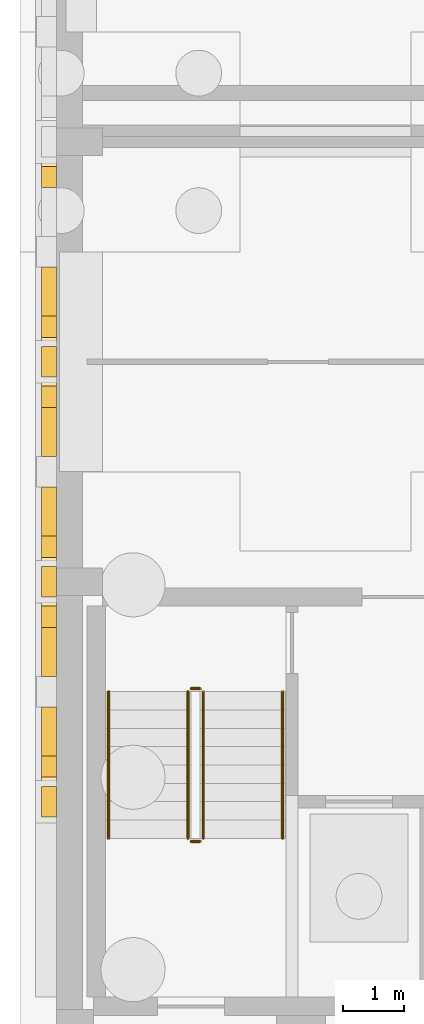
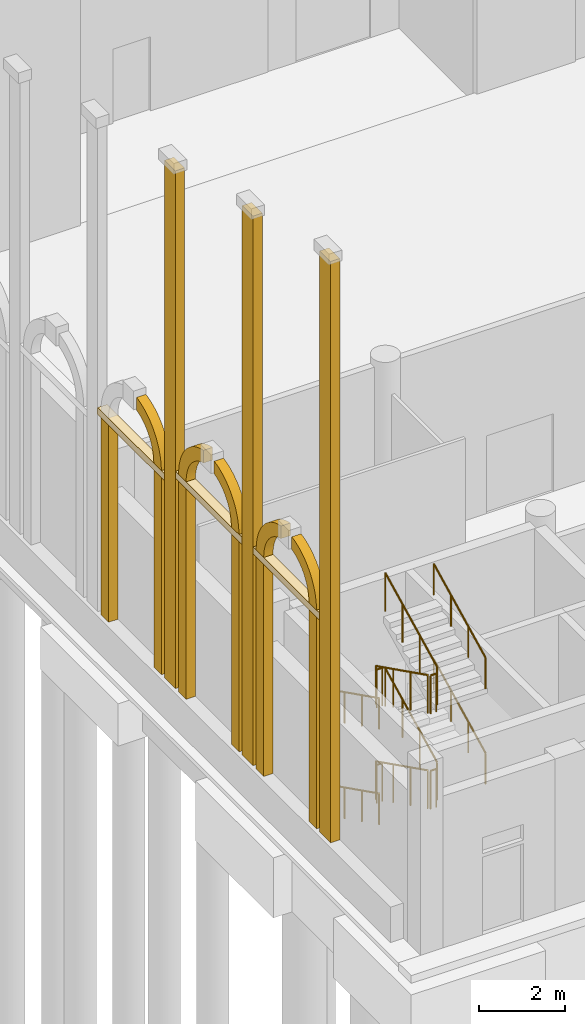
# One storey, part 56 of 80: 17 coverings, 12 railings.
"""IFC4 building model written with IfcOpenShell, lengths in metres."""

from ifc_helpers import new_model, si_unit, direction, frame, origin, origin_2d, place, context, subcontext, project, spatial, polyline, rectangle, circle, outline, extrude, material, type_object, element, save


model = new_model("IFC4")

# Units and contexts
model_context = context("Model", 3, precision=1e-05, world=origin(), true_north=direction((0.0, 1.0)))
body_context = subcontext(model_context, "Body", "Model", "MODEL_VIEW")
ifc_project = project(units=[si_unit("LENGTHUNIT", "METRE"), si_unit("AREAUNIT", "SQUARE_METRE"), si_unit("VOLUMEUNIT", "CUBIC_METRE"), si_unit("PLANEANGLEUNIT", "RADIAN"), si_unit("MASSUNIT", "GRAM", prefix="KILO")], contexts=[model_context])

# Site, building, storey
site_placement = place(None, origin())
site = spatial("IfcSite", under=ifc_project, at=site_placement, CompositionType="ELEMENT")
building_placement = place(site_placement, origin())
building = spatial("IfcBuilding", under=site, at=building_placement, Name="Ussher Court Research Institute", CompositionType="ELEMENT")
storey_placement = place(building_placement, origin())
storey = spatial("IfcBuildingStorey", under=building, at=storey_placement, Name="L00", CompositionType="ELEMENT", Elevation=0.0)

# Coverings
ifc_material_1 = material(Name="Limestone cornice", Category="masonry")
covering_type_1 = type_object("IfcCoveringType", Name="Arcade impost course 250x200", PredefinedType="CLADDING", material=ifc_material_1)
for number, where, z_axis, x_axis, name in (
    (1, (2.47509765625, 9.39990234375, 7.0), (0.0, 0.0, 1.0), (1.0, 0.0, 0.0), "Arcade impost course CC39"),
    (2, (2.47509765625, 13.0, 6.95849609375), (0.0, 0.0, 1.0), (1.0, 0.0, 0.0), "Arcade impost course CC39"),
    (3, (2.47509765625, 16.60009765625, 6.580078125), (0.0, 0.0, 1.0), (1.0, 0.0, 0.0), "Arcade impost course CC39"),
):
    element("IfcCovering", number, at=place(storey_placement, frame(where, z_axis=z_axis, x_axis=x_axis)), inside=storey, type_object=covering_type_1, Name=name, PredefinedType="CLADDING", context=body_context, shape_type="SweptSolid", body=[
        extrude(rectangle(XDim=0.25, YDim=3.10009765625, at=origin_2d()), origin(), (0.0, 0.0, 1.0), 0.199951171875),
    ])
ifc_material_2 = material(Name="Limestone cornice", Category="masonry")
covering_type_2 = type_object("IfcCoveringType", Name="Arcade jamb 350x250", PredefinedType="CLADDING", material=ifc_material_2)
for number, where, z_axis, x_axis, name in (
    (4, (2.47509765625, 8.175048828125, 1.0), (0.0, 0.0, 1.0), (1.0, 0.0, 0.0), "Arcade jamb CC40"),
    (5, (2.47509765625, 10.625, 1.0), (0.0, 0.0, 1.0), (1.0, 0.0, 0.0), "Arcade jamb CC40"),
):
    element("IfcCovering", number, at=place(storey_placement, frame(where, z_axis=z_axis, x_axis=x_axis)), inside=storey, type_object=covering_type_2, Name=name, PredefinedType="CLADDING", context=body_context, shape_type="SweptSolid", body=[
        extrude(rectangle(XDim=0.25, YDim=0.35009765625, at=origin_2d()), origin(), (0.0, 0.0, 1.0), 6.0),
    ])
for number, where, z_axis, x_axis, name in (
    (6, (2.47509765625, 11.77490234375, 1.0), (0.0, 0.0, 1.0), (1.0, 0.0, 0.0), "Arcade jamb CC40"),
    (7, (2.47509765625, 14.22509765625, 1.0), (0.0, 0.0, 1.0), (1.0, 0.0, 0.0), "Arcade jamb CC40"),
):
    element("IfcCovering", number, at=place(storey_placement, frame(where, z_axis=z_axis, x_axis=x_axis)), inside=storey, type_object=covering_type_2, Name=name, PredefinedType="CLADDING", context=body_context, shape_type="SweptSolid", body=[
        extrude(rectangle(XDim=0.25, YDim=0.35009765625, at=origin_2d()), origin(), (0.0, 0.0, 1.0), 5.958251953125),
    ])
for number, where, z_axis, x_axis, name in (
    (8, (2.47509765625, 15.375, 1.0), (0.0, 0.0, 1.0), (1.0, 0.0, 0.0), "Arcade jamb CC40"),
    (9, (2.47509765625, 17.824951171875, 1.0), (0.0, 0.0, 1.0), (1.0, 0.0, 0.0), "Arcade jamb CC40"),
):
    element("IfcCovering", number, at=place(storey_placement, frame(where, z_axis=z_axis, x_axis=x_axis)), inside=storey, type_object=covering_type_2, Name=name, PredefinedType="CLADDING", context=body_context, shape_type="SweptSolid", body=[
        extrude(rectangle(XDim=0.25, YDim=0.35009765625, at=origin_2d()), origin(), (0.0, 0.0, 1.0), 5.580078125),
    ])
ifc_material_3 = material(Name="Limestone cornice", Category="masonry")
covering_type_3 = type_object("IfcCoveringType", Name="Archivolt 2100 span", PredefinedType="CLADDING", material=ifc_material_3)
covering_1_placement = place(storey_placement, frame((2.35009765625, 9.39990234375, 7.199951171875), z_axis=(1.0, 0.0, 0.0), x_axis=(0.0, 1.0, 0.0)))
element("IfcCovering", 10, at=covering_1_placement, inside=storey, type_object=covering_type_3, Name="Archivolt CC41", PredefinedType="CLADDING", context=body_context, shape_type="SweptSolid", body=[
    extrude(outline(polyline([(-0.273193359375, 1.373046875), (-0.31787109375, 1.36328125), (-0.3623046875, 1.352294921875), (-0.406494140625, 1.339599609375), (-0.449951171875, 1.32568359375), (-0.4931640625, 1.310302734375), (-0.535888671875, 1.29345703125), (-0.577880859375, 1.275146484375), (-0.619140625, 1.255615234375), (-0.659912109375, 1.234619140625), (-0.699951171875, 1.21240234375), (-0.7392578125, 1.18896484375), (-0.77783203125, 1.1640625), (-0.8154296875, 1.137939453125), (-0.852294921875, 1.110595703125), (-0.88818359375, 1.082275390625), (-0.923095703125, 1.052490234375), (-0.95703125, 1.021728515625), (-0.989990234375, 0.989990234375), (-1.021728515625, 0.95703125), (-1.052490234375, 0.923095703125), (-1.082275390625, 0.88818359375), (-1.110595703125, 0.852294921875), (-1.137939453125, 0.8154296875), (-1.1640625, 0.77783203125), (-1.18896484375, 0.7392578125), (-1.21240234375, 0.699951171875), (-1.234619140625, 0.659912109375), (-1.255615234375, 0.619140625), (-1.275146484375, 0.577880859375), (-1.29345703125, 0.535888671875), (-1.310302734375, 0.4931640625), (-1.32568359375, 0.449951171875), (-1.339599609375, 0.406494140625), (-1.352294921875, 0.3623046875), (-1.36328125, 0.31787109375), (-1.373046875, 0.273193359375), (-1.38134765625, 0.22802734375), (-1.387939453125, 0.1826171875), (-1.393310546875, 0.13720703125), (-1.39697265625, 0.091552734375), (-1.3994140625, 0.0458984375), (-1.39990234375, 0.0), (-1.050048828125, 0.0), (-1.04931640625, 0.034423828125), (-1.0478515625, 0.068603515625), (-1.044921875, 0.102783203125), (-1.041015625, 0.13720703125), (-1.035888671875, 0.1708984375), (-1.02978515625, 0.204833984375), (-1.022705078125, 0.23828125), (-1.01416015625, 0.271728515625), (-1.0048828125, 0.3046875), (-0.994384765625, 0.33740234375), (-0.982666015625, 0.369873046875), (-0.97021484375, 0.40185546875), (-0.956298828125, 0.433349609375), (-0.941650390625, 0.46435546875), (-0.926025390625, 0.4951171875), (-0.9091796875, 0.52490234375), (-0.8916015625, 0.554443359375), (-0.873046875, 0.583251953125), (-0.853515625, 0.611572265625), (-0.8330078125, 0.63916015625), (-0.811767578125, 0.666015625), (-0.789306640625, 0.6923828125), (-0.766357421875, 0.7177734375), (-0.742431640625, 0.742431640625), (-0.7177734375, 0.766357421875), (-0.6923828125, 0.789306640625), (-0.666015625, 0.811767578125), (-0.63916015625, 0.8330078125), (-0.611572265625, 0.853515625), (-0.583251953125, 0.873046875), (-0.554443359375, 0.8916015625), (-0.52490234375, 0.9091796875), (-0.4951171875, 0.926025390625), (-0.46435546875, 0.941650390625), (-0.433349609375, 0.956298828125), (-0.40185546875, 0.97021484375), (-0.369873046875, 0.982666015625), (-0.33740234375, 0.994384765625), (-0.3046875, 1.0048828125), (-0.271728515625, 1.01416015625), (-0.25, 1.019775390625), (-0.25, 1.377197265625), (-0.273193359375, 1.373046875)])), origin(), (0.0, 0.0, 1.0), 0.25),
])
covering_2_placement = place(storey_placement, frame((2.35009765625, 9.39990234375, 7.199951171875), z_axis=(1.0, 0.0, 0.0), x_axis=(0.0, 1.0, 0.0)))
element("IfcCovering", 11, at=covering_2_placement, inside=storey, type_object=covering_type_3, Name="Archivolt CC41", PredefinedType="CLADDING", context=body_context, shape_type="SweptSolid", body=[
    extrude(outline(polyline([(0.273193359375, 1.373046875), (0.25, 1.377197265625), (0.25, 1.019775390625), (0.271728515625, 1.01416015625), (0.3046875, 1.0048828125), (0.33740234375, 0.994384765625), (0.369873046875, 0.982666015625), (0.40185546875, 0.97021484375), (0.433349609375, 0.956298828125), (0.46435546875, 0.941650390625), (0.4951171875, 0.926025390625), (0.52490234375, 0.9091796875), (0.554443359375, 0.8916015625), (0.583251953125, 0.873046875), (0.611572265625, 0.853515625), (0.63916015625, 0.8330078125), (0.666015625, 0.811767578125), (0.6923828125, 0.789306640625), (0.7177734375, 0.766357421875), (0.742431640625, 0.742431640625), (0.766357421875, 0.7177734375), (0.789306640625, 0.6923828125), (0.811767578125, 0.666015625), (0.8330078125, 0.63916015625), (0.853515625, 0.611572265625), (0.873046875, 0.583251953125), (0.8916015625, 0.554443359375), (0.9091796875, 0.52490234375), (0.926025390625, 0.4951171875), (0.941650390625, 0.46435546875), (0.956298828125, 0.433349609375), (0.97021484375, 0.40185546875), (0.982666015625, 0.369873046875), (0.994384765625, 0.33740234375), (1.0048828125, 0.3046875), (1.01416015625, 0.271728515625), (1.022705078125, 0.23828125), (1.02978515625, 0.204833984375), (1.035888671875, 0.1708984375), (1.041015625, 0.13720703125), (1.044921875, 0.102783203125), (1.0478515625, 0.068603515625), (1.04931640625, 0.034423828125), (1.050048828125, 0.0), (1.39990234375, 0.0), (1.3994140625, 0.0458984375), (1.39697265625, 0.091552734375), (1.393310546875, 0.13720703125), (1.387939453125, 0.1826171875), (1.38134765625, 0.22802734375), (1.373046875, 0.273193359375), (1.36328125, 0.31787109375), (1.352294921875, 0.3623046875), (1.339599609375, 0.406494140625), (1.32568359375, 0.449951171875), (1.310302734375, 0.4931640625), (1.29345703125, 0.535888671875), (1.275146484375, 0.577880859375), (1.255615234375, 0.619140625), (1.234619140625, 0.659912109375), (1.21240234375, 0.699951171875), (1.18896484375, 0.7392578125), (1.1640625, 0.77783203125), (1.137939453125, 0.8154296875), (1.110595703125, 0.852294921875), (1.082275390625, 0.88818359375), (1.052490234375, 0.923095703125), (1.021728515625, 0.95703125), (0.989990234375, 0.989990234375), (0.95703125, 1.021728515625), (0.923095703125, 1.052490234375), (0.88818359375, 1.082275390625), (0.852294921875, 1.110595703125), (0.8154296875, 1.137939453125), (0.77783203125, 1.1640625), (0.7392578125, 1.18896484375), (0.699951171875, 1.21240234375), (0.659912109375, 1.234619140625), (0.619140625, 1.255615234375), (0.577880859375, 1.275146484375), (0.535888671875, 1.29345703125), (0.4931640625, 1.310302734375), (0.449951171875, 1.32568359375), (0.406494140625, 1.339599609375), (0.3623046875, 1.352294921875), (0.31787109375, 1.36328125), (0.273193359375, 1.373046875)])), origin(), (0.0, 0.0, 1.0), 0.25),
])
covering_3_placement = place(storey_placement, frame((2.35009765625, 13.0, 7.158203125), z_axis=(1.0, 0.0, 0.0), x_axis=(0.0, 1.0, 0.0)))
element("IfcCovering", 12, at=covering_3_placement, inside=storey, type_object=covering_type_3, Name="Archivolt CC41", PredefinedType="CLADDING", context=body_context, shape_type="SweptSolid", body=[
    extrude(outline(polyline([(-0.273193359375, 1.373046875), (-0.31787109375, 1.36328125), (-0.3623046875, 1.352294921875), (-0.406494140625, 1.339599609375), (-0.449951171875, 1.32568359375), (-0.4931640625, 1.310302734375), (-0.535888671875, 1.29345703125), (-0.577880859375, 1.275146484375), (-0.619140625, 1.255615234375), (-0.659912109375, 1.234619140625), (-0.699951171875, 1.21240234375), (-0.7392578125, 1.18896484375), (-0.77783203125, 1.1640625), (-0.8154296875, 1.137939453125), (-0.852294921875, 1.110595703125), (-0.88818359375, 1.082275390625), (-0.923095703125, 1.052490234375), (-0.95703125, 1.021728515625), (-0.989990234375, 0.989990234375), (-1.021728515625, 0.95703125), (-1.052490234375, 0.923095703125), (-1.082275390625, 0.88818359375), (-1.110595703125, 0.852294921875), (-1.137939453125, 0.8154296875), (-1.1640625, 0.77783203125), (-1.18896484375, 0.7392578125), (-1.21240234375, 0.699951171875), (-1.234619140625, 0.659912109375), (-1.255615234375, 0.619140625), (-1.275146484375, 0.577880859375), (-1.29345703125, 0.535888671875), (-1.310302734375, 0.4931640625), (-1.32568359375, 0.449951171875), (-1.339599609375, 0.406494140625), (-1.352294921875, 0.3623046875), (-1.36328125, 0.31787109375), (-1.373046875, 0.273193359375), (-1.38134765625, 0.22802734375), (-1.387939453125, 0.1826171875), (-1.393310546875, 0.13720703125), (-1.39697265625, 0.091552734375), (-1.3994140625, 0.0458984375), (-1.39990234375, 0.0), (-1.050048828125, 0.0), (-1.04931640625, 0.034423828125), (-1.0478515625, 0.068603515625), (-1.044921875, 0.102783203125), (-1.041015625, 0.13720703125), (-1.035888671875, 0.1708984375), (-1.02978515625, 0.204833984375), (-1.022705078125, 0.23828125), (-1.01416015625, 0.271728515625), (-1.0048828125, 0.3046875), (-0.994384765625, 0.33740234375), (-0.982666015625, 0.369873046875), (-0.97021484375, 0.40185546875), (-0.956298828125, 0.433349609375), (-0.941650390625, 0.46435546875), (-0.926025390625, 0.4951171875), (-0.9091796875, 0.52490234375), (-0.8916015625, 0.554443359375), (-0.873046875, 0.583251953125), (-0.853515625, 0.611572265625), (-0.8330078125, 0.63916015625), (-0.811767578125, 0.666015625), (-0.789306640625, 0.6923828125), (-0.766357421875, 0.7177734375), (-0.742431640625, 0.742431640625), (-0.7177734375, 0.766357421875), (-0.6923828125, 0.789306640625), (-0.666015625, 0.811767578125), (-0.63916015625, 0.8330078125), (-0.611572265625, 0.853515625), (-0.583251953125, 0.873046875), (-0.554443359375, 0.8916015625), (-0.52490234375, 0.9091796875), (-0.4951171875, 0.926025390625), (-0.46435546875, 0.941650390625), (-0.433349609375, 0.956298828125), (-0.40185546875, 0.97021484375), (-0.369873046875, 0.982666015625), (-0.33740234375, 0.994384765625), (-0.3046875, 1.0048828125), (-0.271728515625, 1.01416015625), (-0.25, 1.019775390625), (-0.25, 1.377197265625), (-0.273193359375, 1.373046875)])), origin(), (0.0, 0.0, 1.0), 0.25),
])
covering_4_placement = place(storey_placement, frame((2.35009765625, 13.0, 7.158203125), z_axis=(1.0, 0.0, 0.0), x_axis=(0.0, 1.0, 0.0)))
element("IfcCovering", 13, at=covering_4_placement, inside=storey, type_object=covering_type_3, Name="Archivolt CC41", PredefinedType="CLADDING", context=body_context, shape_type="SweptSolid", body=[
    extrude(outline(polyline([(0.273193359375, 1.373046875), (0.25, 1.377197265625), (0.25, 1.019775390625), (0.271728515625, 1.01416015625), (0.3046875, 1.0048828125), (0.33740234375, 0.994384765625), (0.369873046875, 0.982666015625), (0.40185546875, 0.97021484375), (0.433349609375, 0.956298828125), (0.46435546875, 0.941650390625), (0.4951171875, 0.926025390625), (0.52490234375, 0.9091796875), (0.554443359375, 0.8916015625), (0.583251953125, 0.873046875), (0.611572265625, 0.853515625), (0.63916015625, 0.8330078125), (0.666015625, 0.811767578125), (0.6923828125, 0.789306640625), (0.7177734375, 0.766357421875), (0.742431640625, 0.742431640625), (0.766357421875, 0.7177734375), (0.789306640625, 0.6923828125), (0.811767578125, 0.666015625), (0.8330078125, 0.63916015625), (0.853515625, 0.611572265625), (0.873046875, 0.583251953125), (0.8916015625, 0.554443359375), (0.9091796875, 0.52490234375), (0.926025390625, 0.4951171875), (0.941650390625, 0.46435546875), (0.956298828125, 0.433349609375), (0.97021484375, 0.40185546875), (0.982666015625, 0.369873046875), (0.994384765625, 0.33740234375), (1.0048828125, 0.3046875), (1.01416015625, 0.271728515625), (1.022705078125, 0.23828125), (1.02978515625, 0.204833984375), (1.035888671875, 0.1708984375), (1.041015625, 0.13720703125), (1.044921875, 0.102783203125), (1.0478515625, 0.068603515625), (1.04931640625, 0.034423828125), (1.050048828125, 0.0), (1.39990234375, 0.0), (1.3994140625, 0.0458984375), (1.39697265625, 0.091552734375), (1.393310546875, 0.13720703125), (1.387939453125, 0.1826171875), (1.38134765625, 0.22802734375), (1.373046875, 0.273193359375), (1.36328125, 0.31787109375), (1.352294921875, 0.3623046875), (1.339599609375, 0.406494140625), (1.32568359375, 0.449951171875), (1.310302734375, 0.4931640625), (1.29345703125, 0.535888671875), (1.275146484375, 0.577880859375), (1.255615234375, 0.619140625), (1.234619140625, 0.659912109375), (1.21240234375, 0.699951171875), (1.18896484375, 0.7392578125), (1.1640625, 0.77783203125), (1.137939453125, 0.8154296875), (1.110595703125, 0.852294921875), (1.082275390625, 0.88818359375), (1.052490234375, 0.923095703125), (1.021728515625, 0.95703125), (0.989990234375, 0.989990234375), (0.95703125, 1.021728515625), (0.923095703125, 1.052490234375), (0.88818359375, 1.082275390625), (0.852294921875, 1.110595703125), (0.8154296875, 1.137939453125), (0.77783203125, 1.1640625), (0.7392578125, 1.18896484375), (0.699951171875, 1.21240234375), (0.659912109375, 1.234619140625), (0.619140625, 1.255615234375), (0.577880859375, 1.275146484375), (0.535888671875, 1.29345703125), (0.4931640625, 1.310302734375), (0.449951171875, 1.32568359375), (0.406494140625, 1.339599609375), (0.3623046875, 1.352294921875), (0.31787109375, 1.36328125), (0.273193359375, 1.373046875)])), origin(), (0.0, 0.0, 1.0), 0.25),
])
covering_5_placement = place(storey_placement, frame((2.35009765625, 16.60009765625, 6.7802734375), z_axis=(1.0, 0.0, 0.0), x_axis=(0.0, 1.0, 0.0)))
element("IfcCovering", 14, at=covering_5_placement, inside=storey, type_object=covering_type_3, Name="Archivolt CC41", PredefinedType="CLADDING", context=body_context, shape_type="SweptSolid", body=[
    extrude(outline(polyline([(-0.273193359375, 1.373046875), (-0.31787109375, 1.36328125), (-0.3623046875, 1.352294921875), (-0.406494140625, 1.339599609375), (-0.449951171875, 1.32568359375), (-0.4931640625, 1.310302734375), (-0.535888671875, 1.29345703125), (-0.577880859375, 1.275146484375), (-0.619140625, 1.255615234375), (-0.659912109375, 1.234619140625), (-0.699951171875, 1.21240234375), (-0.7392578125, 1.18896484375), (-0.77783203125, 1.1640625), (-0.8154296875, 1.137939453125), (-0.852294921875, 1.110595703125), (-0.88818359375, 1.082275390625), (-0.923095703125, 1.052490234375), (-0.95703125, 1.021728515625), (-0.989990234375, 0.989990234375), (-1.021728515625, 0.95703125), (-1.052490234375, 0.923095703125), (-1.082275390625, 0.88818359375), (-1.110595703125, 0.852294921875), (-1.137939453125, 0.8154296875), (-1.1640625, 0.77783203125), (-1.18896484375, 0.7392578125), (-1.21240234375, 0.699951171875), (-1.234619140625, 0.659912109375), (-1.255615234375, 0.619140625), (-1.275146484375, 0.577880859375), (-1.29345703125, 0.535888671875), (-1.310302734375, 0.4931640625), (-1.32568359375, 0.449951171875), (-1.339599609375, 0.406494140625), (-1.352294921875, 0.3623046875), (-1.36328125, 0.31787109375), (-1.373046875, 0.273193359375), (-1.38134765625, 0.22802734375), (-1.387939453125, 0.1826171875), (-1.393310546875, 0.13720703125), (-1.39697265625, 0.091552734375), (-1.3994140625, 0.0458984375), (-1.39990234375, 0.0), (-1.050048828125, 0.0), (-1.04931640625, 0.034423828125), (-1.0478515625, 0.068603515625), (-1.044921875, 0.102783203125), (-1.041015625, 0.13720703125), (-1.035888671875, 0.1708984375), (-1.02978515625, 0.204833984375), (-1.022705078125, 0.23828125), (-1.01416015625, 0.271728515625), (-1.0048828125, 0.3046875), (-0.994384765625, 0.33740234375), (-0.982666015625, 0.369873046875), (-0.97021484375, 0.40185546875), (-0.956298828125, 0.433349609375), (-0.941650390625, 0.46435546875), (-0.926025390625, 0.4951171875), (-0.9091796875, 0.52490234375), (-0.8916015625, 0.554443359375), (-0.873046875, 0.583251953125), (-0.853515625, 0.611572265625), (-0.8330078125, 0.63916015625), (-0.811767578125, 0.666015625), (-0.789306640625, 0.6923828125), (-0.766357421875, 0.7177734375), (-0.742431640625, 0.742431640625), (-0.7177734375, 0.766357421875), (-0.6923828125, 0.789306640625), (-0.666015625, 0.811767578125), (-0.63916015625, 0.8330078125), (-0.611572265625, 0.853515625), (-0.583251953125, 0.873046875), (-0.554443359375, 0.8916015625), (-0.52490234375, 0.9091796875), (-0.4951171875, 0.926025390625), (-0.46435546875, 0.941650390625), (-0.433349609375, 0.956298828125), (-0.40185546875, 0.97021484375), (-0.369873046875, 0.982666015625), (-0.33740234375, 0.994384765625), (-0.3046875, 1.0048828125), (-0.271728515625, 1.01416015625), (-0.25, 1.019775390625), (-0.25, 1.377197265625), (-0.273193359375, 1.373046875)])), origin(), (0.0, 0.0, 1.0), 0.25),
])
ifc_material_4 = material(Name="Limestone cornice", Category="masonry")
covering_type_4 = type_object("IfcCoveringType", Name="Pilaster strip 500x250", PredefinedType="CLADDING", material=ifc_material_4)
covering_6_placement = place(storey_placement, frame((2.47509765625, 7.60009765625, 1.0), z_axis=(0.0, 0.0, 1.0), x_axis=(1.0, 0.0, 0.0)))
element("IfcCovering", 15, at=covering_6_placement, inside=storey, type_object=covering_type_4, Name="Pilaster strip CC9", PredefinedType="CLADDING", context=body_context, shape_type="SweptSolid", body=[
    extrude(rectangle(XDim=0.25, YDim=0.5, at=origin_2d()), origin(), (0.0, 0.0, 1.0), 16.46240234375),
])
covering_7_placement = place(storey_placement, frame((2.47509765625, 11.199951171875, 1.0), z_axis=(0.0, 0.0, 1.0), x_axis=(1.0, 0.0, 0.0)))
element("IfcCovering", 16, at=covering_7_placement, inside=storey, type_object=covering_type_4, Name="Pilaster strip CC9", PredefinedType="CLADDING", context=body_context, shape_type="SweptSolid", body=[
    extrude(rectangle(XDim=0.25, YDim=0.5, at=origin_2d()), origin(), (0.0, 0.0, 1.0), 15.5625),
])
covering_8_placement = place(storey_placement, frame((2.47509765625, 14.800048828125, 1.0), z_axis=(0.0, 0.0, 1.0), x_axis=(1.0, 0.0, 0.0)))
element("IfcCovering", 17, at=covering_8_placement, inside=storey, type_object=covering_type_4, Name="Pilaster strip CC9", PredefinedType="CLADDING", context=body_context, shape_type="SweptSolid", body=[
    extrude(rectangle(XDim=0.25, YDim=0.5, at=origin_2d()), origin(), (0.0, 0.0, 1.0), 14.66259765625),
])

# Railings
ifc_material_5 = material(Name="Painted steel balustrade", Category="steel")
railing_type_1 = type_object("IfcRailingType", Name="Stair guard 1100 steel balustrade", PredefinedType="GUARDRAIL", material=ifc_material_5)
railing_1_placement = place(storey_placement, frame((4.75, 9.39990234375, 0.14990234375)))
element("IfcRailing", 18, at=railing_1_placement, inside=storey, type_object=railing_type_1, Name="L00 H1 stair guard 1", PredefinedType="GUARDRAIL", context=body_context, shape_type="SweptSolid", body=[
    extrude(circle(Radius=0.02392578125, at=origin_2d()), frame((0.0, 0.0, 1.076171875), z_axis=(0.0, -0.894390793703, 0.44728638269), x_axis=(1.0, 0.0, 0.0)), (0.0, 0.0, 1.0), 2.683349609375),
    extrude(circle(Radius=0.02099609375, at=origin_2d()), origin(), (0.0, 0.0, 1.0), 1.052001953125),
    extrude(circle(Radius=0.02099609375, at=origin_2d()), frame((0.0, -0.800048828125, 0.400146484375)), (0.0, 0.0, 1.0), 1.052001953125),
    extrude(circle(Radius=0.02099609375, at=origin_2d()), frame((0.0, -1.599853515625, 0.800048828125)), (0.0, 0.0, 1.0), 1.052001953125),
    extrude(circle(Radius=0.02099609375, at=origin_2d()), frame((0.0, -2.39990234375, 1.2001953125)), (0.0, 0.0, 1.0), 1.052001953125),
])
railing_2_placement = place(storey_placement, frame((4.800048828125, 6.949951171875, 1.35009765625)))
element("IfcRailing", 19, at=railing_2_placement, inside=storey, type_object=railing_type_1, Name="L00 H1 stair guard 2", PredefinedType="GUARDRAIL", context=body_context, shape_type="SweptSolid", body=[
    extrude(circle(Radius=0.02392578125, at=origin_2d()), frame((0.0, 0.0, 1.076171875), z_axis=(1.0, 0.0, 0.0), x_axis=(0.0, 1.0, 0.0)), (0.0, 0.0, 1.0), 0.14990234375),
    extrude(circle(Radius=0.02099609375, at=origin_2d()), origin(), (0.0, 0.0, 1.0), 1.052001953125),
    extrude(circle(Radius=0.02099609375, at=origin_2d()), frame((0.14990234375, 0.0, 0.0)), (0.0, 0.0, 1.0), 1.052001953125),
])
railing_3_placement = place(storey_placement, frame((5.0, 7.0, 1.5)))
element("IfcRailing", 20, at=railing_3_placement, inside=storey, type_object=railing_type_1, Name="L00 H1 stair guard 3", PredefinedType="GUARDRAIL", context=body_context, shape_type="SweptSolid", body=[
    extrude(circle(Radius=0.02392578125, at=origin_2d()), frame((0.0, 0.0, 1.076171875), z_axis=(0.0, 0.894427191, 0.4472135955), x_axis=(-1.0, 0.0, 0.0)), (0.0, 0.0, 1.0), 2.68310546875),
    extrude(circle(Radius=0.02099609375, at=origin_2d()), origin(), (0.0, 0.0, 1.0), 1.052001953125),
    extrude(circle(Radius=0.02099609375, at=origin_2d()), frame((0.0, 0.800048828125, 0.39990234375)), (0.0, 0.0, 1.0), 1.052001953125),
    extrude(circle(Radius=0.02099609375, at=origin_2d()), frame((0.0, 1.599853515625, 0.800048828125)), (0.0, 0.0, 1.0), 1.052001953125),
    extrude(circle(Radius=0.02099609375, at=origin_2d()), frame((0.0, 2.39990234375, 1.199951171875)), (0.0, 0.0, 1.0), 1.052001953125),
])
railing_4_placement = place(storey_placement, frame((4.800048828125, 9.449951171875, 2.699951171875)))
element("IfcRailing", 21, at=railing_4_placement, inside=storey, type_object=railing_type_1, Name="L00 H1 stair guard 4", PredefinedType="GUARDRAIL", context=body_context, shape_type="SweptSolid", body=[
    extrude(circle(Radius=0.02392578125, at=origin_2d()), frame((0.0, 0.0, 1.076171875), z_axis=(1.0, 0.0, 0.0), x_axis=(0.0, 1.0, 0.0)), (0.0, 0.0, 1.0), 0.14990234375),
    extrude(circle(Radius=0.02099609375, at=origin_2d()), origin(), (0.0, 0.0, 1.0), 1.052001953125),
    extrude(circle(Radius=0.02099609375, at=origin_2d()), frame((0.14990234375, 0.0, 0.0)), (0.0, 0.0, 1.0), 1.052001953125),
])
railing_5_placement = place(storey_placement, frame((4.75, 9.39990234375, 2.85009765625)))
element("IfcRailing", 22, at=railing_5_placement, inside=storey, type_object=railing_type_1, Name="L00 H1 stair guard 5", PredefinedType="GUARDRAIL", context=body_context, shape_type="SweptSolid", body=[
    extrude(circle(Radius=0.02392578125, at=origin_2d()), frame((0.0, 0.0, 1.076171875), z_axis=(0.0, -0.894427191, 0.4472135955), x_axis=(1.0, 0.0, 0.0)), (0.0, 0.0, 1.0), 2.68310546875),
    extrude(circle(Radius=0.02099609375, at=origin_2d()), origin(), (0.0, 0.0, 1.0), 1.052001953125),
    extrude(circle(Radius=0.02099609375, at=origin_2d()), frame((0.0, -0.800048828125, 0.39990234375)), (0.0, 0.0, 1.0), 1.052001953125),
    extrude(circle(Radius=0.02099609375, at=origin_2d()), frame((0.0, -1.599853515625, 0.800048828125)), (0.0, 0.0, 1.0), 1.052001953125),
    extrude(circle(Radius=0.02099609375, at=origin_2d()), frame((0.0, -2.39990234375, 1.199951171875)), (0.0, 0.0, 1.0), 1.052001953125),
])
railing_6_placement = place(storey_placement, frame((4.800048828125, 6.949951171875, 4.050048828125)))
element("IfcRailing", 23, at=railing_6_placement, inside=storey, type_object=railing_type_1, Name="L00 H1 stair guard 6", PredefinedType="GUARDRAIL", context=body_context, shape_type="SweptSolid", body=[
    extrude(circle(Radius=0.02392578125, at=origin_2d()), frame((0.0, 0.0, 1.076171875), z_axis=(1.0, 0.0, 0.0), x_axis=(0.0, 1.0, 0.0)), (0.0, 0.0, 1.0), 0.14990234375),
    extrude(circle(Radius=0.02099609375, at=origin_2d()), origin(), (0.0, 0.0, 1.0), 1.052001953125),
    extrude(circle(Radius=0.02099609375, at=origin_2d()), frame((0.14990234375, 0.0, 0.0)), (0.0, 0.0, 1.0), 1.052001953125),
])
railing_7_placement = place(storey_placement, frame((5.0, 7.0, 4.199951171875)))
element("IfcRailing", 24, at=railing_7_placement, inside=storey, type_object=railing_type_1, Name="L00 H1 stair guard 7", PredefinedType="GUARDRAIL", context=body_context, shape_type="SweptSolid", body=[
    extrude(circle(Radius=0.02392578125, at=origin_2d()), frame((0.0, 0.0, 1.076171875), z_axis=(0.0, 0.894427191, 0.4472135955), x_axis=(-1.0, 0.0, 0.0)), (0.0, 0.0, 1.0), 2.68310546875),
    extrude(circle(Radius=0.02099609375, at=origin_2d()), origin(), (0.0, 0.0, 1.0), 1.052001953125),
    extrude(circle(Radius=0.02099609375, at=origin_2d()), frame((0.0, 0.800048828125, 0.39990234375)), (0.0, 0.0, 1.0), 1.052001953125),
    extrude(circle(Radius=0.02099609375, at=origin_2d()), frame((0.0, 1.599853515625, 0.800048828125)), (0.0, 0.0, 1.0), 1.052001953125),
    extrude(circle(Radius=0.02099609375, at=origin_2d()), frame((0.0, 2.39990234375, 1.199951171875)), (0.0, 0.0, 1.0), 1.052001953125),
])
railing_8_placement = place(storey_placement, frame((4.800048828125, 9.449951171875, 0.0)))
element("IfcRailing", 25, at=railing_8_placement, inside=storey, type_object=railing_type_1, Name="L00 H1 stair guard 8", PredefinedType="GUARDRAIL", context=body_context, shape_type="SweptSolid", body=[
    extrude(circle(Radius=0.02392578125, at=origin_2d()), frame((0.0, 0.0, 1.076171875), z_axis=(1.0, 0.0, 0.0), x_axis=(0.0, 1.0, 0.0)), (0.0, 0.0, 1.0), 0.14990234375),
    extrude(circle(Radius=0.02099609375, at=origin_2d()), origin(), (0.0, 0.0, 1.0), 1.052001953125),
    extrude(circle(Radius=0.02099609375, at=origin_2d()), frame((0.14990234375, 0.0, 0.0)), (0.0, 0.0, 1.0), 1.052001953125),
])
ifc_material_6 = material(Name="Painted steel handrail", Category="steel")
railing_type_2 = type_object("IfcRailingType", Name="Stair handrail 900 steel", PredefinedType="HANDRAIL", material=ifc_material_6)
railing_9_placement = place(storey_placement, frame((3.449951171875, 9.39990234375, 0.14990234375)))
element("IfcRailing", 26, at=railing_9_placement, inside=storey, type_object=railing_type_2, Name="L00 H1 stair handrail 1", PredefinedType="HANDRAIL", context=body_context, shape_type="SweptSolid", body=[
    extrude(circle(Radius=0.02392578125, at=origin_2d()), frame((0.0, 0.0, 0.8759765625), z_axis=(0.0, -0.894390793703, 0.44728638269), x_axis=(1.0, 0.0, 0.0)), (0.0, 0.0, 1.0), 2.683349609375),
    extrude(circle(Radius=0.02099609375, at=origin_2d()), origin(), (0.0, 0.0, 1.0), 0.851806640625),
    extrude(circle(Radius=0.02099609375, at=origin_2d()), frame((0.0, -0.800048828125, 0.400146484375)), (0.0, 0.0, 1.0), 0.851806640625),
    extrude(circle(Radius=0.02099609375, at=origin_2d()), frame((0.0, -1.599853515625, 0.800048828125)), (0.0, 0.0, 1.0), 0.851806640625),
    extrude(circle(Radius=0.02099609375, at=origin_2d()), frame((0.0, -2.39990234375, 1.2001953125)), (0.0, 0.0, 1.0), 0.851806640625),
])
railing_10_placement = place(storey_placement, frame((6.300048828125, 7.0, 1.5)))
element("IfcRailing", 27, at=railing_10_placement, inside=storey, type_object=railing_type_2, Name="L00 H1 stair handrail 2", PredefinedType="HANDRAIL", context=body_context, shape_type="SweptSolid", body=[
    extrude(circle(Radius=0.02392578125, at=origin_2d()), frame((0.0, 0.0, 0.8759765625), z_axis=(0.0, 0.894427191, 0.4472135955), x_axis=(-1.0, 0.0, 0.0)), (0.0, 0.0, 1.0), 2.68310546875),
    extrude(circle(Radius=0.02099609375, at=origin_2d()), origin(), (0.0, 0.0, 1.0), 0.851806640625),
    extrude(circle(Radius=0.02099609375, at=origin_2d()), frame((0.0, 0.800048828125, 0.39990234375)), (0.0, 0.0, 1.0), 0.851806640625),
    extrude(circle(Radius=0.02099609375, at=origin_2d()), frame((0.0, 1.599853515625, 0.800048828125)), (0.0, 0.0, 1.0), 0.851806640625),
    extrude(circle(Radius=0.02099609375, at=origin_2d()), frame((0.0, 2.39990234375, 1.199951171875)), (0.0, 0.0, 1.0), 0.851806640625),
])
railing_11_placement = place(storey_placement, frame((3.449951171875, 9.39990234375, 2.85009765625)))
element("IfcRailing", 28, at=railing_11_placement, inside=storey, type_object=railing_type_2, Name="L00 H1 stair handrail 3", PredefinedType="HANDRAIL", context=body_context, shape_type="SweptSolid", body=[
    extrude(circle(Radius=0.02392578125, at=origin_2d()), frame((0.0, 0.0, 0.8759765625), z_axis=(0.0, -0.894427191, 0.4472135955), x_axis=(1.0, 0.0, 0.0)), (0.0, 0.0, 1.0), 2.68310546875),
    extrude(circle(Radius=0.02099609375, at=origin_2d()), origin(), (0.0, 0.0, 1.0), 0.851806640625),
    extrude(circle(Radius=0.02099609375, at=origin_2d()), frame((0.0, -0.800048828125, 0.39990234375)), (0.0, 0.0, 1.0), 0.851806640625),
    extrude(circle(Radius=0.02099609375, at=origin_2d()), frame((0.0, -1.599853515625, 0.800048828125)), (0.0, 0.0, 1.0), 0.851806640625),
    extrude(circle(Radius=0.02099609375, at=origin_2d()), frame((0.0, -2.39990234375, 1.199951171875)), (0.0, 0.0, 1.0), 0.851806640625),
])
railing_12_placement = place(storey_placement, frame((6.300048828125, 7.0, 4.199951171875)))
element("IfcRailing", 29, at=railing_12_placement, inside=storey, type_object=railing_type_2, Name="L00 H1 stair handrail 4", PredefinedType="HANDRAIL", context=body_context, shape_type="SweptSolid", body=[
    extrude(circle(Radius=0.02392578125, at=origin_2d()), frame((0.0, 0.0, 0.8759765625), z_axis=(0.0, 0.894427191, 0.4472135955), x_axis=(-1.0, 0.0, 0.0)), (0.0, 0.0, 1.0), 2.68310546875),
    extrude(circle(Radius=0.02099609375, at=origin_2d()), origin(), (0.0, 0.0, 1.0), 0.851806640625),
    extrude(circle(Radius=0.02099609375, at=origin_2d()), frame((0.0, 0.800048828125, 0.39990234375)), (0.0, 0.0, 1.0), 0.851806640625),
    extrude(circle(Radius=0.02099609375, at=origin_2d()), frame((0.0, 1.599853515625, 0.800048828125)), (0.0, 0.0, 1.0), 0.851806640625),
    extrude(circle(Radius=0.02099609375, at=origin_2d()), frame((0.0, 2.39990234375, 1.199951171875)), (0.0, 0.0, 1.0), 0.851806640625),
])

save(model, "model.ifc")
